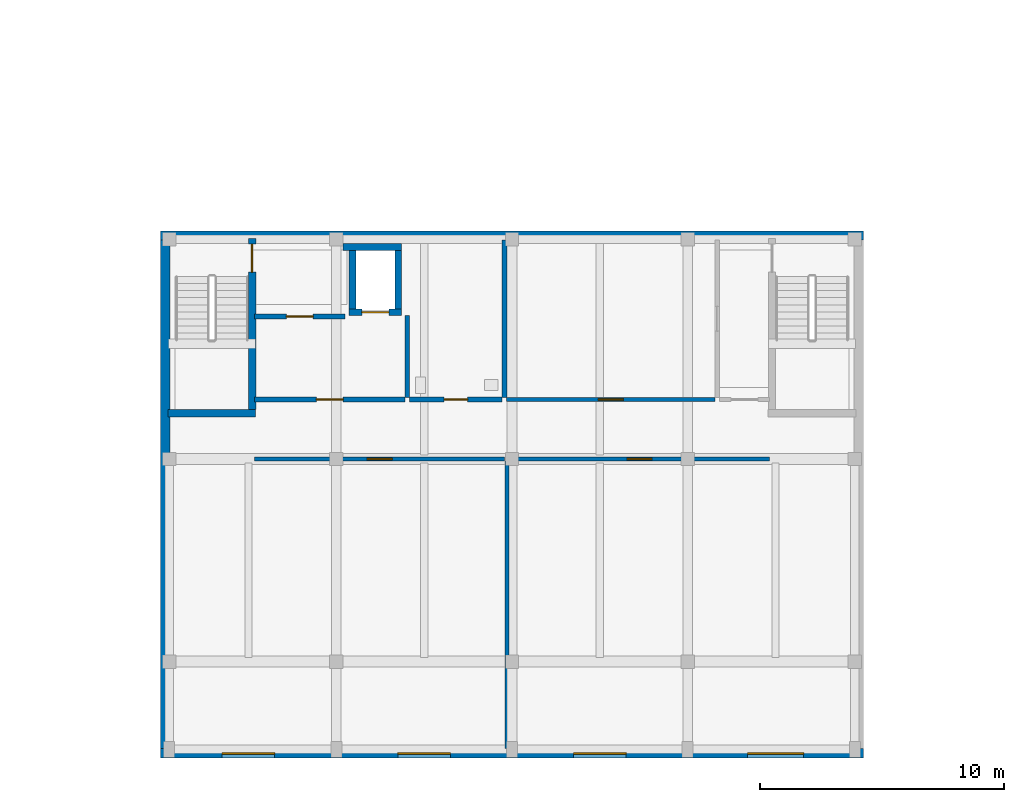
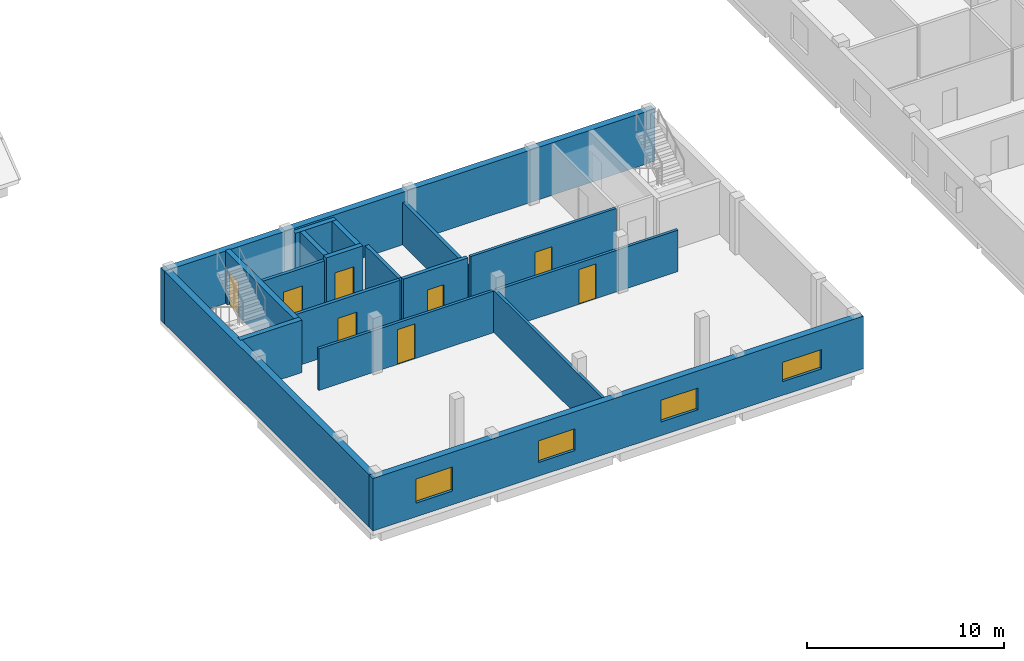
# One storey, part 40 of 73: 18 walls, 8 doors, 4 windows, 12 openings.
"""IFC4 building model written with IfcOpenShell, lengths in metres."""

from ifc_helpers import new_model, si_unit, derived_unit, direction, frame, frame_2d, origin, place, context, subcontext, project, spatial, rectangle, extrude, material, layer, layer_set, type_object, element, fill, save


model = new_model("IFC4")

# Units and contexts
model_context = context("Model", 3, precision=1e-05, world=origin(), true_north=direction((0.0, 1.0)))
body_context = subcontext(model_context, "Body", "Model", "MODEL_VIEW")
ifc_project = project(units=[si_unit("LENGTHUNIT", "METRE"), si_unit("AREAUNIT", "SQUARE_METRE"), si_unit("VOLUMEUNIT", "CUBIC_METRE"), si_unit("PLANEANGLEUNIT", "RADIAN"), si_unit("MASSUNIT", "GRAM", prefix="KILO"), derived_unit("THERMALTRANSMITTANCEUNIT", [(si_unit("MASSUNIT", "GRAM", prefix="KILO"), 1), (si_unit("TIMEUNIT", "SECOND"), -3), (si_unit("THERMODYNAMICTEMPERATUREUNIT", "KELVIN"), -1)])], contexts=[model_context])

# Site, building, storey
site_placement = place(None, origin())
site = spatial("IfcSite", under=ifc_project, at=site_placement, CompositionType="ELEMENT")
building_placement = place(site_placement, origin())
building = spatial("IfcBuilding", under=site, at=building_placement, Name="Ochrekiln Boulevard Commons", CompositionType="ELEMENT")
storey_placement = place(building_placement, frame((0.0, 0.0, 8.574951171875)))
storey = spatial("IfcBuildingStorey", under=building, at=storey_placement, Name="L02", CompositionType="ELEMENT", Elevation=8.574951171875)

# Wall, openings, windows
ifc_material_1 = material(Name="Desert ochre clinker brick masonry ASTM C216 Grade SW", Category="masonry")
ifc_layer_1 = layer(ifc_material_1, 0.3798828125)
ifc_layer_set_1 = layer_set([ifc_layer_1], Name="Desert ochre clinker brick masonry ASTM C216 Grade SW")
wall_type_1 = type_object("IfcWallType", Name="WL-EXT-ARC-380", PredefinedType="SOLIDWALL", material=ifc_layer_set_1)
wall_1_placement = place(storey_placement, frame((108.0, 0.18994140625, 0.0), z_axis=(0.0, 0.0, 1.0), x_axis=(1.0, 0.0, 0.0)))
wall_1 = element("IfcWall", 1, at=wall_1_placement, inside=storey, type_object=wall_type_1, Name="East Boulevard Arcade L02 S Exterior Wall", PredefinedType="SOLIDWALL", context=body_context, shape_type="SweptSolid", body=[
    extrude(rectangle(XDim=28.800048828125, YDim=0.3798828125, at=frame_2d((14.39990234375, 0.0))), origin(), (0.0, 0.0, 1.0), 3.260009765625),
])
opening_1_placement = place(wall_1_placement, frame((2.52490234375, 0.0, 0.85009765625)))
opening_1 = element("IfcOpeningElement", 2, at=opening_1_placement, cuts=wall_1, Name="Opening W-53", PredefinedType="OPENING", context=body_context, shape_type="SweptSolid", body=[
    extrude(rectangle(XDim=2.14990234375, YDim=1.5, at=frame_2d((1.074951171875, 0.75))), frame((0.0, 0.199951171875, 0.0), z_axis=(0.0, -1.0, 0.0), x_axis=(1.0, 0.0, 0.0)), (0.0, 0.0, 1.0), 0.39990234375),
])
opening_2_placement = place(wall_1_placement, frame((9.72509765625, 0.0, 0.85009765625)))
opening_2 = element("IfcOpeningElement", 3, at=opening_2_placement, cuts=wall_1, Name="Opening W-52", PredefinedType="OPENING", context=body_context, shape_type="SweptSolid", body=[
    extrude(rectangle(XDim=2.14990234375, YDim=1.35009765625, at=frame_2d((1.074951171875, 0.675048828125))), frame((0.0, 0.199951171875, 0.0), z_axis=(0.0, -1.0, 0.0), x_axis=(1.0, 0.0, 0.0)), (0.0, 0.0, 1.0), 0.39990234375),
])
opening_3_placement = place(wall_1_placement, frame((16.925048828125, 0.0, 0.85009765625)))
opening_3 = element("IfcOpeningElement", 4, at=opening_3_placement, cuts=wall_1, Name="Opening W-52", PredefinedType="OPENING", context=body_context, shape_type="SweptSolid", body=[
    extrude(rectangle(XDim=2.14990234375, YDim=1.35009765625, at=frame_2d((1.074951171875, 0.675048828125))), frame((0.0, 0.199951171875, 0.0), z_axis=(0.0, -1.0, 0.0), x_axis=(1.0, 0.0, 0.0)), (0.0, 0.0, 1.0), 0.39990234375),
])
opening_4_placement = place(wall_1_placement, frame((24.050048828125, 0.0, 0.85009765625)))
opening_4 = element("IfcOpeningElement", 5, at=opening_4_placement, cuts=wall_1, Name="Opening W-56", PredefinedType="OPENING", context=body_context, shape_type="SweptSolid", body=[
    extrude(rectangle(XDim=2.300048828125, YDim=1.199951171875, at=frame_2d((1.14990234375, 0.60009765625))), frame((0.0, 0.199951171875, 0.0), z_axis=(0.0, -1.0, 0.0), x_axis=(1.0, 0.0, 0.0)), (0.0, 0.0, 1.0), 0.39990234375),
])
ifc_material_2 = material(Name="Thermally broken aluminium-clad oak frame", Category="aluminium")
window_type_1 = type_object("IfcWindowType", Name="WIN-EXT-52", PartitioningType="DOUBLE_PANEL_VERTICAL", PredefinedType="WINDOW", material=ifc_material_2)
window_1_placement = place(opening_2_placement, origin())
window_1 = element("IfcWindow", 6, at=window_1_placement, inside=storey, type_object=window_type_1, Name="East Boulevard Arcade L02 Boulevard Ribbon Window 2", OverallHeight=1.35009765625, OverallWidth=2.14990234375, PartitioningType="DOUBLE_PANEL_VERTICAL", PredefinedType="WINDOW", context=body_context, shape_type="SweptSolid", body=[
    extrude(rectangle(XDim=2.14990234375, YDim=1.35009765625, at=frame_2d((1.074951171875, 0.675048828125))), frame((0.0, 0.030029296875, 0.0), z_axis=(0.0, -1.0, 0.0), x_axis=(1.0, 0.0, 0.0)), (0.0, 0.0, 1.0), 0.06005859375),
])
fill(opening_2, window_1)
window_2_placement = place(opening_3_placement, origin())
window_2 = element("IfcWindow", 7, at=window_2_placement, inside=storey, type_object=window_type_1, Name="East Boulevard Arcade L02 Boulevard Ribbon Window 3", OverallHeight=1.35009765625, OverallWidth=2.14990234375, PartitioningType="DOUBLE_PANEL_VERTICAL", PredefinedType="WINDOW", context=body_context, shape_type="SweptSolid", body=[
    extrude(rectangle(XDim=2.14990234375, YDim=1.35009765625, at=frame_2d((1.074951171875, 0.675048828125))), frame((0.0, 0.030029296875, 0.0), z_axis=(0.0, -1.0, 0.0), x_axis=(1.0, 0.0, 0.0)), (0.0, 0.0, 1.0), 0.06005859375),
])
fill(opening_3, window_2)
window_type_2 = type_object("IfcWindowType", Name="WIN-EXT-53", PartitioningType="DOUBLE_PANEL_VERTICAL", PredefinedType="WINDOW", material=ifc_material_2)
window_3_placement = place(opening_1_placement, origin())
window_3 = element("IfcWindow", 8, at=window_3_placement, inside=storey, type_object=window_type_2, Name="East Boulevard Arcade L02 Boulevard Ribbon Window 1", OverallHeight=1.5, OverallWidth=2.14990234375, PartitioningType="DOUBLE_PANEL_VERTICAL", PredefinedType="WINDOW", context=body_context, shape_type="SweptSolid", body=[
    extrude(rectangle(XDim=2.14990234375, YDim=1.5, at=frame_2d((1.074951171875, 0.75))), frame((0.0, 0.030029296875, 0.0), z_axis=(0.0, -1.0, 0.0), x_axis=(1.0, 0.0, 0.0)), (0.0, 0.0, 1.0), 0.06005859375),
])
fill(opening_1, window_3)
window_type_3 = type_object("IfcWindowType", Name="WIN-EXT-56", PartitioningType="DOUBLE_PANEL_VERTICAL", PredefinedType="WINDOW", material=ifc_material_2)
window_4_placement = place(opening_4_placement, origin())
window_4 = element("IfcWindow", 9, at=window_4_placement, inside=storey, type_object=window_type_3, Name="East Boulevard Arcade L02 Boulevard Ribbon Window 4", OverallHeight=1.199951171875, OverallWidth=2.300048828125, PartitioningType="DOUBLE_PANEL_VERTICAL", PredefinedType="WINDOW", context=body_context, shape_type="SweptSolid", body=[
    extrude(rectangle(XDim=2.300048828125, YDim=1.199951171875, at=frame_2d((1.14990234375, 0.60009765625))), frame((0.0, 0.030029296875, 0.0), z_axis=(0.0, -1.0, 0.0), x_axis=(1.0, 0.0, 0.0)), (0.0, 0.0, 1.0), 0.06005859375),
])
fill(opening_4, window_4)

# Walls
wall_2_placement = place(storey_placement, frame((108.0, 21.409912109375, 0.0), z_axis=(0.0, 0.0, 1.0), x_axis=(1.0, 0.0, 0.0)))
element("IfcWall", 10, at=wall_2_placement, inside=storey, type_object=wall_type_1, Name="East Boulevard Arcade L02 N Exterior Wall", PredefinedType="SOLIDWALL", context=body_context, shape_type="SweptSolid", body=[
    extrude(rectangle(XDim=28.800048828125, YDim=0.3798828125, at=frame_2d((14.39990234375, 0.0))), origin(), (0.0, 0.0, 1.0), 3.260009765625),
])
wall_3_placement = place(storey_placement, frame((108.18994140625, 0.3798828125, 0.0), z_axis=(0.0, 0.0, 1.0), x_axis=(0.0, 1.0, 0.0)))
element("IfcWall", 11, at=wall_3_placement, inside=storey, type_object=wall_type_1, Name="East Boulevard Arcade L02 W Exterior Wall", PredefinedType="SOLIDWALL", context=body_context, shape_type="SweptSolid", body=[
    extrude(rectangle(XDim=20.840087890625, YDim=0.3798828125, at=frame_2d((10.419921875, 0.0))), origin(), (0.0, 0.0, 1.0), 3.260009765625),
])
ifc_material_3 = material(Name="Moisture-resistant cementitious tile backer wall")
ifc_layer_2 = layer(ifc_material_3, 0.199951171875)
ifc_layer_set_2 = layer_set([ifc_layer_2], Name="Moisture-resistant cementitious tile backer wall")
wall_type_2 = type_object("IfcWallType", Name="WL-PLM-200", PredefinedType="PLUMBINGWALL", material=ifc_layer_set_2)
wall_4_placement = place(storey_placement, frame((118.110107421875, 14.780029296875, 0.0), z_axis=(0.0, 0.0, 1.0), x_axis=(0.0, 1.0, 0.0)))
element("IfcWall", 12, at=wall_4_placement, inside=storey, type_object=wall_type_2, Name="L02 Interior Wall W-PW200", PredefinedType="PLUMBINGWALL", context=body_context, shape_type="SweptSolid", body=[
    extrude(rectangle(XDim=3.344970703125, YDim=0.199951171875, at=frame_2d((1.67236328125, 0.0))), origin(), (0.0, 0.0, 1.0), 3.219970703125),
])
wall_5_placement = place(storey_placement, frame((122.090087890625, 14.77197265625, 0.0), z_axis=(0.0, 0.0, 1.0), x_axis=(0.0, 1.0, 0.0)))
element("IfcWall", 13, at=wall_5_placement, inside=storey, type_object=wall_type_2, Name="L02 Interior Wall W-PW200", PredefinedType="PLUMBINGWALL", context=body_context, shape_type="SweptSolid", body=[
    extrude(rectangle(XDim=6.447998046875, YDim=0.199951171875, at=frame_2d((3.22412109375, 0.0))), origin(), (0.0, 0.0, 1.0), 2.630126953125),
])

# Wall, opening, door
ifc_layer_3 = layer(ifc_material_3, 0.219970703125)
ifc_layer_set_3 = layer_set([ifc_layer_3], Name="Moisture-resistant cementitious tile backer wall")
wall_type_3 = type_object("IfcWallType", Name="WL-PLM-220", PredefinedType="PLUMBINGWALL", material=ifc_layer_set_3)
wall_6_placement = place(storey_placement, frame((118.199951171875, 14.68994140625, 0.0), z_axis=(0.0, 0.0, 1.0), x_axis=(1.0, 0.0, 0.0)))
wall_6 = element("IfcWall", 14, at=wall_6_placement, inside=storey, type_object=wall_type_3, Name="L02 Interior Wall W-PW220", PredefinedType="PLUMBINGWALL", context=body_context, shape_type="SweptSolid", body=[
    extrude(rectangle(XDim=3.800048828125, YDim=0.219970703125, at=frame_2d((1.89990234375, 0.0))), origin(), (0.0, 0.0, 1.0), 3.219970703125),
])
opening_5_placement = place(wall_6_placement, frame((1.419921875, 0.0, 0.0)))
opening_5 = element("IfcOpeningElement", 15, at=opening_5_placement, cuts=wall_6, Name="Opening D-L02-443", PredefinedType="OPENING", context=body_context, shape_type="SweptSolid", body=[
    extrude(rectangle(XDim=0.9599609375, YDim=2.050048828125, at=frame_2d((0.47998046875, 1.02490234375))), frame((0.0, 0.119873046875, 0.0), z_axis=(0.0, -1.0, 0.0), x_axis=(1.0, 0.0, 0.0)), (0.0, 0.0, 1.0), 0.239990234375),
])
ifc_material_4 = material(Name="Solid core architectural oak door leaf")
door_type_1 = type_object("IfcDoorType", Name="DR-INT-ADA-096", OperationType="NOTDEFINED", PredefinedType="DOOR", material=ifc_material_4)
door_1_placement = place(opening_5_placement, origin())
door_1 = element("IfcDoor", 16, at=door_1_placement, inside=storey, type_object=door_type_1, Name="L02 Interior Door to Studio Accessible Washroom and WC", OperationType="SINGLE_SWING_LEFT", OverallHeight=2.050048828125, OverallWidth=0.9599609375, PredefinedType="DOOR", context=body_context, shape_type="SweptSolid", body=[
    extrude(rectangle(XDim=0.9599609375, YDim=2.050048828125, at=frame_2d((0.47998046875, 1.02490234375))), frame((0.0, 0.02490234375, 0.0), z_axis=(0.0, -1.0, 0.0), x_axis=(1.0, 0.0, 0.0)), (0.0, 0.0, 1.0), 0.050048828125),
])
fill(opening_5, door_1)

# Wall
ifc_material_5 = material(Name="Fire-rated Type X gypsum board on steel studs", Category="steel")
ifc_layer_4 = layer(ifc_material_5, 0.169921875)
ifc_layer_set_4 = layer_set([ifc_layer_4], Name="Fire-rated Type X gypsum board on steel studs")
wall_type_4 = type_object("IfcWallType", Name="WL-PT-CIV-170", PredefinedType="PARTITIONING", material=ifc_layer_set_4)
wall_7_placement = place(storey_placement, frame((122.199951171875, 0.3798828125, 0.0), z_axis=(0.0, 0.0, 1.0), x_axis=(0.0, 1.0, 0.0)))
element("IfcWall", 17, at=wall_7_placement, inside=storey, type_object=wall_type_4, Name="L02 Interior Wall W-PV170", PredefinedType="PARTITIONING", context=body_context, shape_type="SweptSolid", body=[
    extrude(rectangle(XDim=11.7880859375, YDim=0.169921875, at=frame_2d((5.89404296875, 0.0))), origin(), (0.0, 0.0, 1.0), 2.630126953125),
])

# Wall, opening, door
ifc_layer_5 = layer(ifc_material_5, 0.1650390625)
ifc_layer_set_5 = layer_set([ifc_layer_5], Name="Fire-rated Type X gypsum board on steel studs")
wall_type_5 = type_object("IfcWallType", Name="WL-PT-CORR-165", PredefinedType="PARTITIONING", material=ifc_layer_set_5)
wall_8_placement = place(storey_placement, frame((111.85009765625, 12.25, 0.0), z_axis=(0.0, 0.0, 1.0), x_axis=(1.0, 0.0, 0.0)))
wall_8 = element("IfcWall", 18, at=wall_8_placement, inside=storey, type_object=wall_type_5, Name="L02 Interior Wall W-PC165", PredefinedType="PARTITIONING", context=body_context, shape_type="SweptSolid", body=[
    extrude(rectangle(XDim=10.25, YDim=0.1650390625, at=frame_2d((5.125, 0.0))), origin(), (0.0, 0.0, 1.0), 2.580078125),
])
opening_6_placement = place(wall_8_placement, frame((4.614990234375, 0.0, 0.0)))
opening_6 = element("IfcOpeningElement", 19, at=opening_6_placement, cuts=wall_8, Name="Opening D-L02-441", PredefinedType="OPENING", context=body_context, shape_type="SweptSolid", body=[
    extrude(rectangle(XDim=1.02001953125, YDim=2.159912109375, at=frame_2d((0.510009765625, 1.080078125))), frame((0.0, 0.092529296875, 0.0), z_axis=(0.0, -1.0, 0.0), x_axis=(1.0, 0.0, 0.0)), (0.0, 0.0, 1.0), 0.18505859375),
])
door_type_2 = type_object("IfcDoorType", Name="DR-INT-CIV-102", OperationType="NOTDEFINED", PredefinedType="DOOR", material=ifc_material_4)
door_2_placement = place(opening_6_placement, frame((1.02001953125, 0.0, 0.0), z_axis=(0.0, 0.0, 1.0), x_axis=(-1.0, 0.0, 0.0)))
door_2 = element("IfcDoor", 20, at=door_2_placement, inside=storey, type_object=door_type_2, Name="L02 Interior Door to Community Co-Working Studio", OperationType="SINGLE_SWING_LEFT", OverallHeight=2.159912109375, OverallWidth=1.02001953125, PredefinedType="DOOR", context=body_context, shape_type="SweptSolid", body=[
    extrude(rectangle(XDim=1.02001953125, YDim=2.159912109375, at=frame_2d((0.510009765625, 1.080078125))), frame((0.0, 0.02490234375, 0.0), z_axis=(0.0, -1.0, 0.0), x_axis=(1.0, 0.0, 0.0)), (0.0, 0.0, 1.0), 0.050048828125),
])
fill(opening_6, door_2)

wall_9_placement = place(storey_placement, frame((122.300048828125, 12.25, 0.0), z_axis=(0.0, 0.0, 1.0), x_axis=(1.0, 0.0, 0.0)))
wall_9 = element("IfcWall", 21, at=wall_9_placement, inside=storey, type_object=wall_type_5, Name="L02 Interior Wall W-PC165", PredefinedType="PARTITIONING", context=body_context, shape_type="SweptSolid", body=[
    extrude(rectangle(XDim=10.64990234375, YDim=0.1650390625, at=frame_2d((5.324951171875, 0.0))), origin(), (0.0, 0.0, 1.0), 2.580078125),
])
opening_7_placement = place(wall_9_placement, frame((4.81494140625, 0.0, 0.0)))
opening_7 = element("IfcOpeningElement", 22, at=opening_7_placement, cuts=wall_9, Name="Opening D-L02-442", PredefinedType="OPENING", context=body_context, shape_type="SweptSolid", body=[
    extrude(rectangle(XDim=1.02001953125, YDim=2.159912109375, at=frame_2d((0.510009765625, 1.080078125))), frame((0.0, 0.092529296875, 0.0), z_axis=(0.0, -1.0, 0.0), x_axis=(1.0, 0.0, 0.0)), (0.0, 0.0, 1.0), 0.18505859375),
])
door_3_placement = place(opening_7_placement, frame((1.02001953125, 0.0, 0.0), z_axis=(0.0, 0.0, 1.0), x_axis=(-1.0, 0.0, 0.0)))
door_3 = element("IfcDoor", 23, at=door_3_placement, inside=storey, type_object=door_type_2, Name="L02 Interior Door to Neighborhood Maker Studio", OperationType="SINGLE_SWING_RIGHT", OverallHeight=2.159912109375, OverallWidth=1.02001953125, PredefinedType="DOOR", context=body_context, shape_type="SweptSolid", body=[
    extrude(rectangle(XDim=1.02001953125, YDim=2.159912109375, at=frame_2d((0.510009765625, 1.080078125))), frame((0.0, 0.02490234375, 0.0), z_axis=(0.0, -1.0, 0.0), x_axis=(1.0, 0.0, 0.0)), (0.0, 0.0, 1.0), 0.050048828125),
])
fill(opening_7, door_3)

wall_10_placement = place(storey_placement, frame((122.179931640625, 14.68994140625, 0.0), z_axis=(0.0, 0.0, 1.0), x_axis=(1.0, 0.0, 0.0)))
wall_10 = element("IfcWall", 24, at=wall_10_placement, inside=storey, type_object=wall_type_5, Name="L02 Interior Wall W-PC165", PredefinedType="PARTITIONING", context=body_context, shape_type="SweptSolid", body=[
    extrude(rectangle(XDim=8.5400390625, YDim=0.1650390625, at=frame_2d((4.27001953125, 0.0))), origin(), (0.0, 0.0, 1.0), 3.219970703125),
])
opening_8_placement = place(wall_10_placement, frame((3.760009765625, 0.0, 0.0)))
opening_8 = element("IfcOpeningElement", 25, at=opening_8_placement, cuts=wall_10, Name="Opening D-L02-444", PredefinedType="OPENING", context=body_context, shape_type="SweptSolid", body=[
    extrude(rectangle(XDim=1.02001953125, YDim=2.159912109375, at=frame_2d((0.510009765625, 1.080078125))), frame((0.0, 0.092529296875, 0.0), z_axis=(0.0, -1.0, 0.0), x_axis=(1.0, 0.0, 0.0)), (0.0, 0.0, 1.0), 0.18505859375),
])
door_4_placement = place(opening_8_placement, origin())
door_4 = element("IfcDoor", 26, at=door_4_placement, inside=storey, type_object=door_type_2, Name="L02 Interior Door to Community Craft Room", OperationType="SINGLE_SWING_RIGHT", OverallHeight=2.159912109375, OverallWidth=1.02001953125, PredefinedType="DOOR", context=body_context, shape_type="SweptSolid", body=[
    extrude(rectangle(XDim=1.02001953125, YDim=2.159912109375, at=frame_2d((0.510009765625, 1.080078125))), frame((0.0, 0.02490234375, 0.0), z_axis=(0.0, -1.0, 0.0), x_axis=(1.0, 0.0, 0.0)), (0.0, 0.0, 1.0), 0.050048828125),
])
fill(opening_8, door_4)

ifc_layer_6 = layer(ifc_material_5, 0.18994140625)
ifc_layer_set_6 = layer_set([ifc_layer_6], Name="Fire-rated Type X gypsum board on steel studs")
wall_type_6 = type_object("IfcWallType", Name="WL-PT-LBY-190", PredefinedType="PARTITIONING", material=ifc_layer_set_6)
wall_11_placement = place(storey_placement, frame((111.85009765625, 18.090087890625, 0.0), z_axis=(0.0, 0.0, 1.0), x_axis=(1.0, 0.0, 0.0)))
wall_11 = element("IfcWall", 27, at=wall_11_placement, inside=storey, type_object=wall_type_6, Name="L02 Interior Wall W-PL190", PredefinedType="PARTITIONING", context=body_context, shape_type="SweptSolid", body=[
    extrude(rectangle(XDim=3.699951171875, YDim=0.18994140625, at=frame_2d((1.85009765625, 0.0))), origin(), (0.0, 0.0, 1.0), 3.219970703125),
])
opening_9_placement = place(wall_11_placement, frame((1.300048828125, 0.0, 0.0)))
opening_9 = element("IfcOpeningElement", 28, at=opening_9_placement, cuts=wall_11, Name="Opening D-L02-438", PredefinedType="OPENING", context=body_context, shape_type="SweptSolid", body=[
    extrude(rectangle(XDim=1.10009765625, YDim=2.1201171875, at=frame_2d((0.550048828125, 1.06005859375))), frame((0.0, 0.10498046875, 0.0), z_axis=(0.0, -1.0, 0.0), x_axis=(1.0, 0.0, 0.0)), (0.0, 0.0, 1.0), 0.2099609375),
])
ifc_material_6 = material(Name="Hollow metal fire-rated steel door assembly", Category="steel")
door_type_3 = type_object("IfcDoorType", Name="DR-LOBBY-60", OperationType="NOTDEFINED", PredefinedType="DOOR", material=ifc_material_6)
door_5_placement = place(opening_9_placement, frame((1.10009765625, 0.0, 0.0), z_axis=(0.0, 0.0, 1.0), x_axis=(-1.0, 0.0, 0.0)))
door_5 = element("IfcDoor", 29, at=door_5_placement, inside=storey, type_object=door_type_3, Name="L02 Interior Door to Passenger Elevator Lobby", OperationType="SINGLE_SWING_RIGHT", OverallHeight=2.1201171875, OverallWidth=1.10009765625, PredefinedType="DOOR", context=body_context, shape_type="SweptSolid", body=[
    extrude(rectangle(XDim=1.10009765625, YDim=2.1201171875, at=frame_2d((0.550048828125, 1.06005859375))), frame((0.0, 0.02490234375, 0.0), z_axis=(0.0, -1.0, 0.0), x_axis=(1.0, 0.0, 0.0)), (0.0, 0.0, 1.0), 0.050048828125),
])
fill(opening_9, door_5)

wall_12_placement = place(storey_placement, frame((111.85009765625, 14.68994140625, 0.0), z_axis=(0.0, 0.0, 1.0), x_axis=(1.0, 0.0, 0.0)))
wall_12 = element("IfcWall", 30, at=wall_12_placement, inside=storey, type_object=wall_type_6, Name="L02 Interior Wall W-PL190", PredefinedType="PARTITIONING", context=body_context, shape_type="SweptSolid", body=[
    extrude(rectangle(XDim=6.169921875, YDim=0.18994140625, at=frame_2d((3.0849609375, 0.0))), origin(), (0.0, 0.0, 1.0), 3.219970703125),
])
opening_10_placement = place(wall_12_placement, frame((2.534912109375, 0.0, 0.0)))
opening_10 = element("IfcOpeningElement", 31, at=opening_10_placement, cuts=wall_12, Name="Opening D-L02-439", PredefinedType="OPENING", context=body_context, shape_type="SweptSolid", body=[
    extrude(rectangle(XDim=1.10009765625, YDim=2.1201171875, at=frame_2d((0.550048828125, 1.06005859375))), frame((0.0, 0.10498046875, 0.0), z_axis=(0.0, -1.0, 0.0), x_axis=(1.0, 0.0, 0.0)), (0.0, 0.0, 1.0), 0.2099609375),
])
door_6_placement = place(opening_10_placement, origin())
door_6 = element("IfcDoor", 32, at=door_6_placement, inside=storey, type_object=door_type_3, Name="L02 Interior Door to Passenger Elevator Lobby", OperationType="SINGLE_SWING_LEFT", OverallHeight=2.1201171875, OverallWidth=1.10009765625, PredefinedType="DOOR", context=body_context, shape_type="SweptSolid", body=[
    extrude(rectangle(XDim=1.10009765625, YDim=2.1201171875, at=frame_2d((0.550048828125, 1.06005859375))), frame((0.0, 0.02490234375, 0.0), z_axis=(0.0, -1.0, 0.0), x_axis=(1.0, 0.0, 0.0)), (0.0, 0.0, 1.0), 0.050048828125),
])
fill(opening_10, door_6)

ifc_material_7 = material(Name="Concrete C40/50", Category="concrete")
ifc_layer_7 = layer(ifc_material_7, 0.27490234375)
ifc_layer_set_7 = layer_set([ifc_layer_7], Name="Concrete C40/50")
wall_type_7 = type_object("IfcWallType", Name="WL-SH-275", PredefinedType="SHEAR", material=ifc_layer_set_7)
wall_13_placement = place(storey_placement, frame((115.72509765625, 18.262451171875, 0.0), z_axis=(0.0, 0.0, 1.0), x_axis=(1.0, 0.0, 0.0)))
wall_13 = element("IfcWall", 33, at=wall_13_placement, inside=storey, type_object=wall_type_7, Name="Elevator LP-S2 L02 Hoistway Shear Wall", PredefinedType="SHEAR", context=body_context, shape_type="SweptSolid", body=[
    extrude(rectangle(XDim=2.14990234375, YDim=0.27490234375, at=frame_2d((1.074951171875, 0.0))), origin(), (0.0, 0.0, 1.0), 3.260009765625),
])
opening_11_placement = place(wall_13_placement, frame((0.52490234375, 0.0, 0.0)))
opening_11 = element("IfcOpeningElement", 34, at=opening_11_placement, cuts=wall_13, Name="Opening LD-LP-S2-L02", PredefinedType="OPENING", context=body_context, shape_type="SweptSolid", body=[
    extrude(rectangle(XDim=1.10009765625, YDim=2.14990234375, at=frame_2d((0.550048828125, 1.074951171875))), frame((0.0, 0.1474609375, 0.0), z_axis=(0.0, -1.0, 0.0), x_axis=(1.0, 0.0, 0.0)), (0.0, 0.0, 1.0), 0.294921875),
])
ifc_material_8 = material(Name="Brushed stainless steel 316 elevator cab and doors", Category="steel")
door_type_4 = type_object("IfcDoorType", Name="DR-LIFT-LD90", OperationType="SLIDING_TO_LEFT", PredefinedType="DOOR", material=ifc_material_8)
door_7_placement = place(opening_11_placement, origin())
door_7 = element("IfcDoor", 35, at=door_7_placement, inside=storey, type_object=door_type_4, Name="Elevator LP-S2 L02 Sliding Landing Door LD-LP-S2-L02", OperationType="SLIDING_TO_LEFT", OverallHeight=2.14990234375, OverallWidth=1.10009765625, PredefinedType="DOOR", context=body_context, shape_type="SweptSolid", body=[
    extrude(rectangle(XDim=1.10009765625, YDim=2.14990234375, at=frame_2d((0.550048828125, 1.074951171875))), frame((0.0, 0.02490234375, 0.0), z_axis=(0.0, -1.0, 0.0), x_axis=(1.0, 0.0, 0.0)), (0.0, 0.0, 1.0), 0.050048828125),
])
fill(opening_11, door_7)

# Walls
wall_14_placement = place(storey_placement, frame((115.47509765625, 20.9375, 0.0), z_axis=(0.0, 0.0, 1.0), x_axis=(1.0, 0.0, 0.0)))
element("IfcWall", 36, at=wall_14_placement, inside=storey, type_object=wall_type_7, Name="Elevator LP-S2 L02 Hoistway Shear Wall", PredefinedType="SHEAR", context=body_context, shape_type="SweptSolid", body=[
    extrude(rectangle(XDim=2.39990234375, YDim=0.27490234375, at=frame_2d((1.199951171875, 0.0))), origin(), (0.0, 0.0, 1.0), 3.260009765625),
])
for number, where, z_axis, x_axis, name in (
    (37, (115.862548828125, 18.39990234375, 0.0), (0.0, 0.0, 1.0), (0.0, 1.0, 0.0), "Elevator LP-S2 L02 Hoistway Shear Wall"),
    (38, (117.737548828125, 18.39990234375, 0.0), (0.0, 0.0, 1.0), (0.0, 1.0, 0.0), "Elevator LP-S2 L02 Hoistway Shear Wall"),
):
    element("IfcWall", number, at=place(storey_placement, frame(where, z_axis=z_axis, x_axis=x_axis)), inside=storey, type_object=wall_type_7, Name=name, PredefinedType="SHEAR", context=body_context, shape_type="SweptSolid", body=[
        extrude(rectangle(XDim=2.400146484375, YDim=0.27490234375, at=frame_2d((1.2001953125, 0.0))), origin(), (0.0, 0.0, 1.0), 3.260009765625),
    ])
ifc_layer_8 = layer(ifc_material_7, 0.300048828125)
ifc_layer_set_8 = layer_set([ifc_layer_8], Name="Concrete C40/50")
wall_type_8 = type_object("IfcWallType", Name="WL-SH-300", PredefinedType="SHEAR", material=ifc_layer_set_8)
wall_15_placement = place(storey_placement, frame((108.300048828125, 14.1298828125, 0.0), z_axis=(0.0, 0.0, 1.0), x_axis=(1.0, 0.0, 0.0)))
element("IfcWall", 39, at=wall_15_placement, inside=storey, type_object=wall_type_8, Name="Stair ST-E1 L02 Core Shear Wall S", PredefinedType="SHEAR", context=body_context, shape_type="SweptSolid", body=[
    extrude(rectangle(XDim=3.599853515625, YDim=0.300048828125, at=frame_2d((1.7998046875, 0.0))), origin(), (0.0, 0.0, 1.0), 3.260009765625),
])

# Wall, opening, door
wall_16_placement = place(storey_placement, frame((111.75, 14.280029296875, 0.0), z_axis=(0.0, 0.0, 1.0), x_axis=(0.0, 1.0, 0.0)))
wall_16 = element("IfcWall", 40, at=wall_16_placement, inside=storey, type_object=wall_type_8, Name="Stair ST-E1 L02 Core Shear Wall E", PredefinedType="SHEAR", context=body_context, shape_type="SweptSolid", body=[
    extrude(rectangle(XDim=7.0, YDim=0.300048828125, at=frame_2d((3.5, 0.0))), origin(), (0.0, 0.0, 1.0), 3.260009765625),
])
opening_12_placement = place(wall_16_placement, frame((5.625, 0.0, 0.0)))
opening_12 = element("IfcOpeningElement", 41, at=opening_12_placement, cuts=wall_16, Name="Opening D-L02-ST-E1", PredefinedType="OPENING", context=body_context, shape_type="SweptSolid", body=[
    extrude(rectangle(XDim=1.14990234375, YDim=2.1201171875, at=frame_2d((0.574951171875, 1.06005859375))), frame((0.0, 0.159912109375, 0.0), z_axis=(0.0, -1.0, 0.0), x_axis=(1.0, 0.0, 0.0)), (0.0, 0.0, 1.0), 0.320068359375),
])
door_type_5 = type_object("IfcDoorType", Name="DR-STAIR-90", OperationType="NOTDEFINED", PredefinedType="DOOR", material=ifc_material_6)
door_8_placement = place(opening_12_placement, origin())
door_8 = element("IfcDoor", 42, at=door_8_placement, inside=storey, type_object=door_type_5, Name="Enclosed Exit Stair ST-E1 L02 Rated Door", OperationType="SINGLE_SWING_LEFT", OverallHeight=2.1201171875, OverallWidth=1.14990234375, PredefinedType="DOOR", context=body_context, shape_type="SweptSolid", body=[
    extrude(rectangle(XDim=1.14990234375, YDim=2.1201171875, at=frame_2d((0.574951171875, 1.06005859375))), frame((0.0, 0.02490234375, 0.0), z_axis=(0.0, -1.0, 0.0), x_axis=(1.0, 0.0, 0.0)), (0.0, 0.0, 1.0), 0.050048828125),
])
fill(opening_12, door_8)

save(model, "model.ifc")
